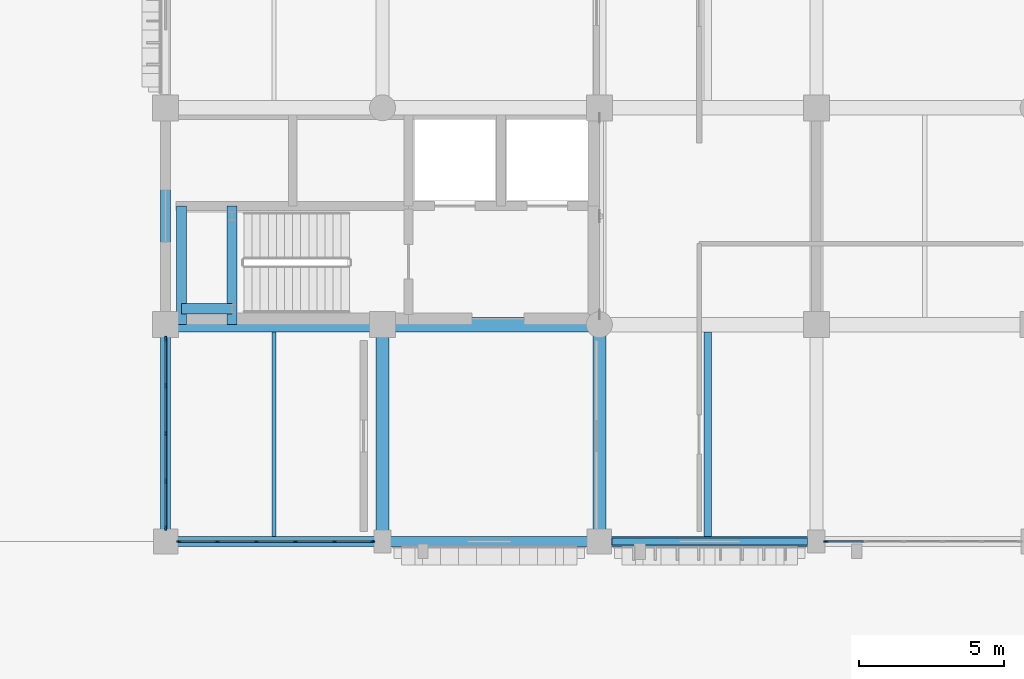
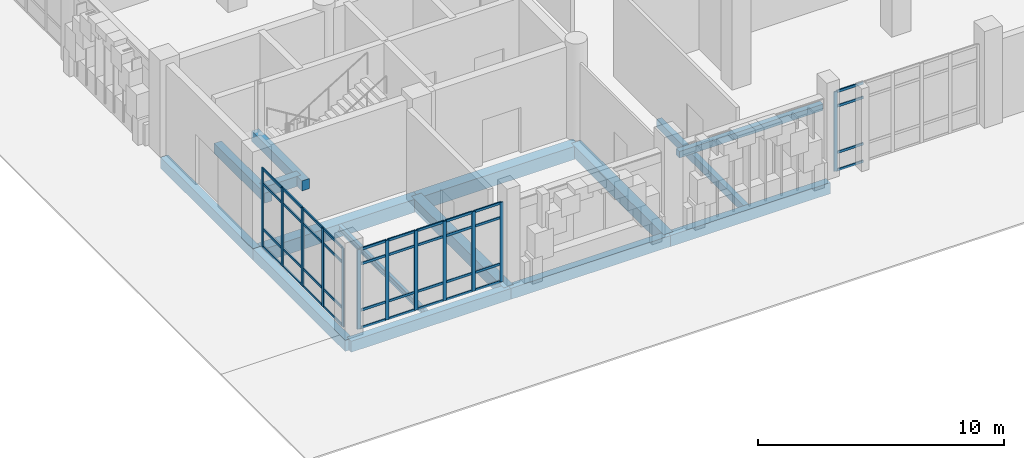
# One storey, part 14 of 125: 52 members, 15 beams, 3 elements without a shape of their own.
"""IFC4 building model written with IfcOpenShell, lengths in metres."""

from ifc_helpers import new_model, si_unit, direction, frame, origin, origin_2d, place, context, subcontext, project, spatial, rectangle, i_section, extrude, material, layer, layer_set, material_profile, profile_set, type_object, element, aggregate, save


model = new_model("IFC4")

# Units and contexts
model_context = context("Model", 3, precision=1e-05, world=origin(), true_north=direction((0.0, 1.0)))
body_context = subcontext(model_context, "Body", "Model", "MODEL_VIEW")
ifc_project = project(units=[si_unit("LENGTHUNIT", "METRE"), si_unit("AREAUNIT", "SQUARE_METRE"), si_unit("VOLUMEUNIT", "CUBIC_METRE"), si_unit("PLANEANGLEUNIT", "RADIAN"), si_unit("MASSUNIT", "GRAM", prefix="KILO")], contexts=[model_context])

# Site, building, storey
site_placement = place(None, origin())
site = spatial("IfcSite", under=ifc_project, at=site_placement, CompositionType="ELEMENT")
building_placement = place(site_placement, origin())
building = spatial("IfcBuilding", under=site, at=building_placement, Name="Dalvernix Boulevard General Hospital", CompositionType="ELEMENT")
storey_placement = place(building_placement, origin())
storey = spatial("IfcBuildingStorey", under=building, at=storey_placement, Name="L00", CompositionType="ELEMENT", Elevation=0.0)

# Beams
ifc_material_1 = material(Name="Concrete C35/45", Category="concrete")
ifc_material_profile_1 = material_profile(ifc_material_1, rectangle(XDim=0.5, YDim=0.64990234375, at=origin_2d()), Name="RCB 500x650")
ifc_profile_set_1 = profile_set([ifc_material_profile_1], Name="Concrete C35/45")
beam_type_1 = type_object("IfcBeamType", Name="BM-B-02-I", PredefinedType="BEAM", material=ifc_profile_set_1)
for number, where, z_axis, x_axis, name in (
    (1, (0.0, 7.5, -0.68505859375), (1.0, 0.0, 0.0), (0.0, 1.0, 0.0), "L00 E-W girder B:1-2"),
    (2, (7.5, 7.5, -0.68505859375), (1.0, 0.0, 0.0), (0.0, 1.0, 0.0), "L00 E-W girder B:2-3"),
):
    element("IfcBeam", number, at=place(storey_placement, frame(where, z_axis=z_axis, x_axis=x_axis)), inside=storey, type_object=beam_type_1, Name=name, PredefinedType="BEAM", context=body_context, shape_type="SweptSolid", body=[
        extrude(rectangle(XDim=0.5, YDim=0.64990234375, at=origin_2d()), origin(), (0.0, 0.0, 1.0), 7.5),
    ])
ifc_material_profile_2 = material_profile(ifc_material_1, rectangle(XDim=0.449951171875, YDim=0.60009765625, at=origin_2d()), Name="RCB 450x600")
ifc_profile_set_2 = profile_set([ifc_material_profile_2], Name="Concrete C35/45")
beam_type_2 = type_object("IfcBeamType", Name="BM-B-04-I", PredefinedType="BEAM", material=ifc_profile_set_2)
for number, where, z_axis, x_axis, name in (
    (3, (7.5, 0.0, -0.659912109375), (0.0, 1.0, 0.0), (-1.0, 0.0, 0.0), "L00 N-S girder 2:A-B"),
    (4, (15.0, 0.0, -0.659912109375), (0.0, 1.0, 0.0), (-1.0, 0.0, 0.0), "L00 N-S girder 3:A-B"),
):
    element("IfcBeam", number, at=place(storey_placement, frame(where, z_axis=z_axis, x_axis=x_axis)), inside=storey, type_object=beam_type_2, Name=name, PredefinedType="BEAM", context=body_context, shape_type="SweptSolid", body=[
        extrude(rectangle(XDim=0.449951171875, YDim=0.60009765625, at=origin_2d()), origin(), (0.0, 0.0, 1.0), 7.5),
    ])
ifc_material_profile_3 = material_profile(ifc_material_1, rectangle(XDim=0.35009765625, YDim=0.5, at=origin_2d()), Name="RCB 350x500")
ifc_profile_set_3 = profile_set([ifc_material_profile_3], Name="Concrete C35/45")
beam_type_3 = type_object("IfcBeamType", Name="BM-B-08", PredefinedType="BEAM", material=ifc_profile_set_3)
for number, where, z_axis, x_axis, name in (
    (5, (0.550048828125, 7.5, 1.949951171875), (0.0, 1.0, 0.0), (-1.0, 0.0, 0.0), "L00 C1 stair half-landing beam 1"),
    (6, (2.300048828125, 7.5, 1.949951171875), (0.0, 1.0, 0.0), (-1.0, 0.0, 0.0), "L00 C1 stair half-landing beam 2"),
):
    element("IfcBeam", number, at=place(storey_placement, frame(where, z_axis=z_axis, x_axis=x_axis)), inside=storey, type_object=beam_type_3, Name=name, PredefinedType="BEAM", context=body_context, shape_type="SweptSolid", body=[
        extrude(rectangle(XDim=0.35009765625, YDim=0.5, at=origin_2d()), origin(), (0.0, 0.0, 1.0), 4.10009765625),
    ])
beam_1_placement = place(storey_placement, frame((0.550048828125, 8.050048828125, 1.949951171875), z_axis=(1.0, 0.0, 0.0), x_axis=(0.0, 1.0, 0.0)))
element("IfcBeam", 7, at=beam_1_placement, inside=storey, type_object=beam_type_3, Name="L00 C1 stair half-landing tie beam", PredefinedType="BEAM", context=body_context, shape_type="SweptSolid", body=[
    extrude(rectangle(XDim=0.35009765625, YDim=0.5, at=origin_2d()), origin(), (0.0, 0.0, 1.0), 1.75),
])
ifc_material_profile_4 = material_profile(ifc_material_1, rectangle(XDim=0.25, YDim=0.39990234375, at=origin_2d()), Name="RCB 250x400")
ifc_profile_set_4 = profile_set([ifc_material_profile_4], Name="Concrete C35/45")
beam_type_4 = type_object("IfcBeamType", Name="BM-JB-02", PredefinedType="JOIST", material=ifc_profile_set_4)
beam_2_placement = place(storey_placement, frame((18.75, 0.175048828125, -0.56005859375), z_axis=(0.0, 1.0, 0.0), x_axis=(-1.0, 0.0, 0.0)))
element("IfcBeam", 8, at=beam_2_placement, inside=storey, type_object=beam_type_4, Name="L00 secondary floor beam 3-A", PredefinedType="JOIST", context=body_context, shape_type="SweptSolid", body=[
    extrude(rectangle(XDim=0.25, YDim=0.39990234375, at=origin_2d()), origin(), (0.0, 0.0, 1.0), 7.074951171875),
])
ifc_material_2 = material(Name="Steel S355", Category="steel")
ifc_material_profile_5 = material_profile(ifc_material_2, i_section(OverallWidth=0.14990234375, OverallDepth=0.300048828125, WebThickness=0.007080078125, FlangeThickness=0.0107421875, FilletRadius=0.014892578125, at=origin_2d()), Name="IPE 300")
ifc_profile_set_5 = profile_set([ifc_material_profile_5], Name="Steel S355")
beam_type_5 = type_object("IfcBeamType", Name="BM-JB-03", PredefinedType="JOIST", material=ifc_profile_set_5)
beam_3_placement = place(storey_placement, frame((3.75, 0.175048828125, -0.510009765625), z_axis=(0.0, 1.0, 0.0), x_axis=(-1.0, 0.0, 0.0)))
element("IfcBeam", 9, at=beam_3_placement, inside=storey, type_object=beam_type_5, Name="L00 secondary floor beam 1-A", PredefinedType="JOIST", context=body_context, shape_type="SweptSolid", body=[
    extrude(i_section(OverallWidth=0.14990234375, OverallDepth=0.300048828125, WebThickness=0.007080078125, FlangeThickness=0.0107421875, FilletRadius=0.014892578125, at=origin_2d()), origin(), (0.0, 0.0, 1.0), 7.074951171875),
])
ifc_material_3 = material(Name="Precast concrete C40/50", Category="concrete")
ifc_material_profile_6 = material_profile(ifc_material_3, rectangle(XDim=0.25, YDim=0.320068359375, at=origin_2d()), Name="RCL 250x320")
ifc_profile_set_6 = profile_set([ifc_material_profile_6], Name="Precast concrete C40/50")
beam_type_6 = type_object("IfcBeamType", Name="BM-LB-01", PredefinedType="LINTEL", material=ifc_profile_set_6)
beam_4_placement = place(storey_placement, frame((22.18994140625, 0.0, 3.4599609375), z_axis=(-1.0, 0.0, 0.0), x_axis=(0.0, -1.0, 0.0)))
element("IfcBeam", 10, at=beam_4_placement, inside=storey, type_object=beam_type_6, Name="L00 precast window lintel S 2-0", PredefinedType="LINTEL", context=body_context, shape_type="SweptSolid", body=[
    extrude(rectangle(XDim=0.25, YDim=0.320068359375, at=origin_2d()), origin(), (0.0, 0.0, 1.0), 6.7548828125),
])
ifc_material_profile_7 = material_profile(ifc_material_1, rectangle(XDim=0.35009765625, YDim=0.550048828125, at=origin_2d()), Name="RCB 350x550")
ifc_profile_set_7 = profile_set([ifc_material_profile_7], Name="Concrete C35/45")
beam_type_7 = type_object("IfcBeamType", Name="BM-SB-01-E", PredefinedType="SPANDREL", material=ifc_profile_set_7)
for number, where, z_axis, x_axis, name in (
    (11, (0.0, 0.0, -0.635009765625), (1.0, 0.0, 0.0), (0.0, 1.0, 0.0), "L00 E-W girder A:1-2"),
    (12, (7.5, 0.0, -0.635009765625), (1.0, 0.0, 0.0), (0.0, 1.0, 0.0), "L00 E-W girder A:2-3"),
    (13, (15.0, 0.0, -0.635009765625), (1.0, 0.0, 0.0), (0.0, 1.0, 0.0), "L00 E-W girder A:3-4"),
    (14, (0.0, 0.0, -0.635009765625), (0.0, 1.0, 0.0), (-1.0, 0.0, 0.0), "L00 N-S girder 1:A-B"),
    (15, (0.0, 7.5, -0.635009765625), (0.0, 1.0, 0.0), (-1.0, 0.0, 0.0), "L00 N-S girder 1:B-C"),
):
    element("IfcBeam", number, at=place(storey_placement, frame(where, z_axis=z_axis, x_axis=x_axis)), inside=storey, type_object=beam_type_7, Name=name, PredefinedType="SPANDREL", context=body_context, shape_type="SweptSolid", body=[
        extrude(rectangle(XDim=0.35009765625, YDim=0.550048828125, at=origin_2d()), origin(), (0.0, 0.0, 1.0), 7.5),
    ])

# Curtain wall, members
ifc_material_4 = material(Name="Thermally broken aluminium and solar-control glass curtain wall", Category="aluminium")
ifc_layer_1 = layer(ifc_material_4, 0.159912109375)
ifc_layer_set_1 = layer_set([ifc_layer_1], Name="Thermally broken aluminium and solar-control glass curtain wall (CW-CW-A-68x40)")
curtain_wall_type_1 = type_object("IfcCurtainWallType", Name="CW-CW-A-68x40", PredefinedType="USERDEFINED", material=ifc_layer_set_1)
curtain_wall_1_placement = place(storey_placement, origin())
curtain_wall_1 = element("IfcCurtainWall", 16, at=curtain_wall_1_placement, inside=storey, type_object=curtain_wall_type_1, Name="L00 curtain wall CW-A-68x40 0-0", ObjectType="GLAZED FACADE", PredefinedType="USERDEFINED")
ifc_material_5 = material(Name="Aluminium EN AW-6060", Category="aluminium")
ifc_material_profile_8 = material_profile(ifc_material_5, rectangle(XDim=0.06005859375, YDim=0.159912109375, at=origin_2d()), Name="ALU MULL 60x160")
ifc_profile_set_8 = profile_set([ifc_material_profile_8], Name="Aluminium EN AW-6060")
member_type_1 = type_object("IfcMemberType", Name="MEM-CW-M1", PredefinedType="MULLION", material=ifc_profile_set_8)
member_1_placement = place(storey_placement, frame((7.159912109375, 0.0, 0.0), z_axis=(0.0, 0.0, 1.0), x_axis=(0.0, -1.0, 0.0)))
member_1 = element("IfcMember", 17, at=member_1_placement, type_object=member_type_1, Name="CW-A-68x40 mullion 1", PredefinedType="MULLION", context=body_context, shape_type="SweptSolid", body=[
    extrude(rectangle(XDim=0.06005859375, YDim=0.159912109375, at=origin_2d()), origin(), (0.0, 0.0, 1.0), 3.949951171875),
])
member_2_placement = place(storey_placement, frame((5.839111328125, 0.0, 0.0), z_axis=(0.0, 0.0, 1.0), x_axis=(0.0, -1.0, 0.0)))
member_2 = element("IfcMember", 18, at=member_2_placement, type_object=member_type_1, Name="CW-A-68x40 mullion 2", PredefinedType="MULLION", context=body_context, shape_type="SweptSolid", body=[
    extrude(rectangle(XDim=0.06005859375, YDim=0.159912109375, at=origin_2d()), origin(), (0.0, 0.0, 1.0), 3.949951171875),
])
member_3_placement = place(storey_placement, frame((4.488037109375, 0.0, 0.0), z_axis=(0.0, 0.0, 1.0), x_axis=(0.0, -1.0, 0.0)))
member_3 = element("IfcMember", 19, at=member_3_placement, type_object=member_type_1, Name="CW-A-68x40 mullion 3", PredefinedType="MULLION", context=body_context, shape_type="SweptSolid", body=[
    extrude(rectangle(XDim=0.06005859375, YDim=0.159912109375, at=origin_2d()), origin(), (0.0, 0.0, 1.0), 3.949951171875),
])
member_4_placement = place(storey_placement, frame((3.136962890625, 0.0, 0.0), z_axis=(0.0, 0.0, 1.0), x_axis=(0.0, -1.0, 0.0)))
member_4 = element("IfcMember", 20, at=member_4_placement, type_object=member_type_1, Name="CW-A-68x40 mullion 4", PredefinedType="MULLION", context=body_context, shape_type="SweptSolid", body=[
    extrude(rectangle(XDim=0.06005859375, YDim=0.159912109375, at=origin_2d()), origin(), (0.0, 0.0, 1.0), 3.949951171875),
])
member_5_placement = place(storey_placement, frame((1.785888671875, 0.0, 0.0), z_axis=(0.0, 0.0, 1.0), x_axis=(0.0, -1.0, 0.0)))
member_5 = element("IfcMember", 21, at=member_5_placement, type_object=member_type_1, Name="CW-A-68x40 mullion 5", PredefinedType="MULLION", context=body_context, shape_type="SweptSolid", body=[
    extrude(rectangle(XDim=0.06005859375, YDim=0.159912109375, at=origin_2d()), origin(), (0.0, 0.0, 1.0), 3.949951171875),
])
member_6_placement = place(storey_placement, frame((0.465087890625, 0.0, 0.0), z_axis=(0.0, 0.0, 1.0), x_axis=(0.0, -1.0, 0.0)))
member_6 = element("IfcMember", 22, at=member_6_placement, type_object=member_type_1, Name="CW-A-68x40 mullion 6", PredefinedType="MULLION", context=body_context, shape_type="SweptSolid", body=[
    extrude(rectangle(XDim=0.06005859375, YDim=0.159912109375, at=origin_2d()), origin(), (0.0, 0.0, 1.0), 3.949951171875),
])

ifc_layer_2 = layer(ifc_material_4, 0.159912109375)
ifc_layer_set_2 = layer_set([ifc_layer_2], Name="Thermally broken aluminium and solar-control glass curtain wall (CW-CW-A-66x39)")
curtain_wall_type_2 = type_object("IfcCurtainWallType", Name="CW-CW-A-66x39", PredefinedType="USERDEFINED", material=ifc_layer_set_2)
curtain_wall_2_placement = place(storey_placement, origin())
curtain_wall_2 = element("IfcCurtainWall", 23, at=curtain_wall_2_placement, inside=storey, type_object=curtain_wall_type_2, Name="L00 curtain wall CW-A-66x39 0-0", ObjectType="GLAZED FACADE", PredefinedType="USERDEFINED")
member_7_placement = place(storey_placement, frame((0.0, 0.465087890625, 0.0), z_axis=(0.0, 0.0, 1.0), x_axis=(-1.0, 0.0, 0.0)))
member_7 = element("IfcMember", 24, at=member_7_placement, type_object=member_type_1, Name="CW-A-66x39 mullion 1", PredefinedType="MULLION", context=body_context, shape_type="SweptSolid", body=[
    extrude(rectangle(XDim=0.06005859375, YDim=0.159912109375, at=origin_2d()), origin(), (0.0, 0.0, 1.0), 3.89990234375),
])
member_8_placement = place(storey_placement, frame((0.0, 2.086181640625, 0.0), z_axis=(0.0, 0.0, 1.0), x_axis=(-1.0, 0.0, 0.0)))
member_8 = element("IfcMember", 25, at=member_8_placement, type_object=member_type_1, Name="CW-A-66x39 mullion 2", PredefinedType="MULLION", context=body_context, shape_type="SweptSolid", body=[
    extrude(rectangle(XDim=0.06005859375, YDim=0.159912109375, at=origin_2d()), origin(), (0.0, 0.0, 1.0), 3.89990234375),
])
member_9_placement = place(storey_placement, frame((0.0, 3.737548828125, 0.0), z_axis=(0.0, 0.0, 1.0), x_axis=(-1.0, 0.0, 0.0)))
member_9 = element("IfcMember", 26, at=member_9_placement, type_object=member_type_1, Name="CW-A-66x39 mullion 3", PredefinedType="MULLION", context=body_context, shape_type="SweptSolid", body=[
    extrude(rectangle(XDim=0.06005859375, YDim=0.159912109375, at=origin_2d()), origin(), (0.0, 0.0, 1.0), 3.89990234375),
])
member_10_placement = place(storey_placement, frame((0.0, 5.388671875, 0.0), z_axis=(0.0, 0.0, 1.0), x_axis=(-1.0, 0.0, 0.0)))
member_10 = element("IfcMember", 27, at=member_10_placement, type_object=member_type_1, Name="CW-A-66x39 mullion 4", PredefinedType="MULLION", context=body_context, shape_type="SweptSolid", body=[
    extrude(rectangle(XDim=0.06005859375, YDim=0.159912109375, at=origin_2d()), origin(), (0.0, 0.0, 1.0), 3.89990234375),
])
member_11_placement = place(storey_placement, frame((0.0, 7.010009765625, 0.0), z_axis=(0.0, 0.0, 1.0), x_axis=(-1.0, 0.0, 0.0)))
member_11 = element("IfcMember", 28, at=member_11_placement, type_object=member_type_1, Name="CW-A-66x39 mullion 5", PredefinedType="MULLION", context=body_context, shape_type="SweptSolid", body=[
    extrude(rectangle(XDim=0.06005859375, YDim=0.159912109375, at=origin_2d()), origin(), (0.0, 0.0, 1.0), 3.89990234375),
])

# Curtain wall, member
curtain_wall_3_placement = place(storey_placement, origin())
curtain_wall_3 = element("IfcCurtainWall", 29, at=curtain_wall_3_placement, inside=storey, type_object=curtain_wall_type_1, Name="L00 curtain wall CW-A-68x40 3-0", ObjectType="GLAZED FACADE", PredefinedType="USERDEFINED")
member_12_placement = place(storey_placement, frame((22.840087890625, 0.0, 0.0), z_axis=(0.0, 0.0, 1.0), x_axis=(0.0, -1.0, 0.0)))
member_12 = element("IfcMember", 30, at=member_12_placement, type_object=member_type_1, Name="CW-A-68x40 mullion 6", PredefinedType="MULLION", context=body_context, shape_type="SweptSolid", body=[
    extrude(rectangle(XDim=0.06005859375, YDim=0.159912109375, at=origin_2d()), origin(), (0.0, 0.0, 1.0), 3.949951171875),
])

# Member
ifc_material_profile_9 = material_profile(ifc_material_5, rectangle(XDim=0.06005859375, YDim=0.1201171875, at=origin_2d()), Name="ALU TRAN 60x120")
ifc_profile_set_9 = profile_set([ifc_material_profile_9], Name="Aluminium EN AW-6060")
member_type_2 = type_object("IfcMemberType", Name="MEM-CW-T1", PredefinedType="USERDEFINED", material=ifc_profile_set_9)
member_13_placement = place(storey_placement, frame((7.1298828125, 0.0, 0.030029296875), z_axis=(-1.0, 0.0, 0.0), x_axis=(0.0, -1.0, 0.0)))
member_13 = element("IfcMember", 31, at=member_13_placement, type_object=member_type_2, Name="CW-A-68x40 transom 1.1", ObjectType="TRANSOM", PredefinedType="USERDEFINED", context=body_context, shape_type="SweptSolid", body=[
    extrude(rectangle(XDim=0.06005859375, YDim=0.1201171875, at=origin_2d()), origin(), (0.0, 0.0, 1.0), 1.260986328125),
])

member_14_placement = place(storey_placement, frame((7.1298828125, 0.0, 0.89990234375), z_axis=(-1.0, 0.0, 0.0), x_axis=(0.0, -1.0, 0.0)))
member_14 = element("IfcMember", 32, at=member_14_placement, type_object=member_type_2, Name="CW-A-68x40 transom 1.2", ObjectType="TRANSOM", PredefinedType="USERDEFINED", context=body_context, shape_type="SweptSolid", body=[
    extrude(rectangle(XDim=0.06005859375, YDim=0.1201171875, at=origin_2d()), origin(), (0.0, 0.0, 1.0), 1.260986328125),
])

member_15_placement = place(storey_placement, frame((7.1298828125, 0.0, 3.199951171875), z_axis=(-1.0, 0.0, 0.0), x_axis=(0.0, -1.0, 0.0)))
member_15 = element("IfcMember", 33, at=member_15_placement, type_object=member_type_2, Name="CW-A-68x40 transom 1.3", ObjectType="TRANSOM", PredefinedType="USERDEFINED", context=body_context, shape_type="SweptSolid", body=[
    extrude(rectangle(XDim=0.06005859375, YDim=0.1201171875, at=origin_2d()), origin(), (0.0, 0.0, 1.0), 1.260986328125),
])

member_16_placement = place(storey_placement, frame((7.1298828125, 0.0, 3.919921875), z_axis=(-1.0, 0.0, 0.0), x_axis=(0.0, -1.0, 0.0)))
member_16 = element("IfcMember", 34, at=member_16_placement, type_object=member_type_2, Name="CW-A-68x40 transom 1.4", ObjectType="TRANSOM", PredefinedType="USERDEFINED", context=body_context, shape_type="SweptSolid", body=[
    extrude(rectangle(XDim=0.06005859375, YDim=0.1201171875, at=origin_2d()), origin(), (0.0, 0.0, 1.0), 1.260986328125),
])

member_17_placement = place(storey_placement, frame((5.80908203125, 0.0, 0.030029296875), z_axis=(-1.0, 0.0, 0.0), x_axis=(0.0, -1.0, 0.0)))
member_17 = element("IfcMember", 35, at=member_17_placement, type_object=member_type_2, Name="CW-A-68x40 transom 2.1", ObjectType="TRANSOM", PredefinedType="USERDEFINED", context=body_context, shape_type="SweptSolid", body=[
    extrude(rectangle(XDim=0.06005859375, YDim=0.1201171875, at=origin_2d()), origin(), (0.0, 0.0, 1.0), 1.291015625),
])

member_18_placement = place(storey_placement, frame((5.80908203125, 0.0, 0.89990234375), z_axis=(-1.0, 0.0, 0.0), x_axis=(0.0, -1.0, 0.0)))
member_18 = element("IfcMember", 36, at=member_18_placement, type_object=member_type_2, Name="CW-A-68x40 transom 2.2", ObjectType="TRANSOM", PredefinedType="USERDEFINED", context=body_context, shape_type="SweptSolid", body=[
    extrude(rectangle(XDim=0.06005859375, YDim=0.1201171875, at=origin_2d()), origin(), (0.0, 0.0, 1.0), 1.291015625),
])

member_19_placement = place(storey_placement, frame((5.80908203125, 0.0, 3.199951171875), z_axis=(-1.0, 0.0, 0.0), x_axis=(0.0, -1.0, 0.0)))
member_19 = element("IfcMember", 37, at=member_19_placement, type_object=member_type_2, Name="CW-A-68x40 transom 2.3", ObjectType="TRANSOM", PredefinedType="USERDEFINED", context=body_context, shape_type="SweptSolid", body=[
    extrude(rectangle(XDim=0.06005859375, YDim=0.1201171875, at=origin_2d()), origin(), (0.0, 0.0, 1.0), 1.291015625),
])

member_20_placement = place(storey_placement, frame((5.80908203125, 0.0, 3.919921875), z_axis=(-1.0, 0.0, 0.0), x_axis=(0.0, -1.0, 0.0)))
member_20 = element("IfcMember", 38, at=member_20_placement, type_object=member_type_2, Name="CW-A-68x40 transom 2.4", ObjectType="TRANSOM", PredefinedType="USERDEFINED", context=body_context, shape_type="SweptSolid", body=[
    extrude(rectangle(XDim=0.06005859375, YDim=0.1201171875, at=origin_2d()), origin(), (0.0, 0.0, 1.0), 1.291015625),
])

member_21_placement = place(storey_placement, frame((4.4580078125, 0.0, 0.030029296875), z_axis=(-1.0, 0.0, 0.0), x_axis=(0.0, -1.0, 0.0)))
member_21 = element("IfcMember", 39, at=member_21_placement, type_object=member_type_2, Name="CW-A-68x40 transom 3.1", ObjectType="TRANSOM", PredefinedType="USERDEFINED", context=body_context, shape_type="SweptSolid", body=[
    extrude(rectangle(XDim=0.06005859375, YDim=0.1201171875, at=origin_2d()), origin(), (0.0, 0.0, 1.0), 1.291015625),
])

member_22_placement = place(storey_placement, frame((4.4580078125, 0.0, 0.89990234375), z_axis=(-1.0, 0.0, 0.0), x_axis=(0.0, -1.0, 0.0)))
member_22 = element("IfcMember", 40, at=member_22_placement, type_object=member_type_2, Name="CW-A-68x40 transom 3.2", ObjectType="TRANSOM", PredefinedType="USERDEFINED", context=body_context, shape_type="SweptSolid", body=[
    extrude(rectangle(XDim=0.06005859375, YDim=0.1201171875, at=origin_2d()), origin(), (0.0, 0.0, 1.0), 1.291015625),
])

member_23_placement = place(storey_placement, frame((4.4580078125, 0.0, 3.199951171875), z_axis=(-1.0, 0.0, 0.0), x_axis=(0.0, -1.0, 0.0)))
member_23 = element("IfcMember", 41, at=member_23_placement, type_object=member_type_2, Name="CW-A-68x40 transom 3.3", ObjectType="TRANSOM", PredefinedType="USERDEFINED", context=body_context, shape_type="SweptSolid", body=[
    extrude(rectangle(XDim=0.06005859375, YDim=0.1201171875, at=origin_2d()), origin(), (0.0, 0.0, 1.0), 1.291015625),
])

member_24_placement = place(storey_placement, frame((4.4580078125, 0.0, 3.919921875), z_axis=(-1.0, 0.0, 0.0), x_axis=(0.0, -1.0, 0.0)))
member_24 = element("IfcMember", 42, at=member_24_placement, type_object=member_type_2, Name="CW-A-68x40 transom 3.4", ObjectType="TRANSOM", PredefinedType="USERDEFINED", context=body_context, shape_type="SweptSolid", body=[
    extrude(rectangle(XDim=0.06005859375, YDim=0.1201171875, at=origin_2d()), origin(), (0.0, 0.0, 1.0), 1.291015625),
])

member_25_placement = place(storey_placement, frame((3.10693359375, 0.0, 0.030029296875), z_axis=(-1.0, 0.0, 0.0), x_axis=(0.0, -1.0, 0.0)))
member_25 = element("IfcMember", 43, at=member_25_placement, type_object=member_type_2, Name="CW-A-68x40 transom 4.1", ObjectType="TRANSOM", PredefinedType="USERDEFINED", context=body_context, shape_type="SweptSolid", body=[
    extrude(rectangle(XDim=0.06005859375, YDim=0.1201171875, at=origin_2d()), origin(), (0.0, 0.0, 1.0), 1.291015625),
])

member_26_placement = place(storey_placement, frame((3.10693359375, 0.0, 0.89990234375), z_axis=(-1.0, 0.0, 0.0), x_axis=(0.0, -1.0, 0.0)))
member_26 = element("IfcMember", 44, at=member_26_placement, type_object=member_type_2, Name="CW-A-68x40 transom 4.2", ObjectType="TRANSOM", PredefinedType="USERDEFINED", context=body_context, shape_type="SweptSolid", body=[
    extrude(rectangle(XDim=0.06005859375, YDim=0.1201171875, at=origin_2d()), origin(), (0.0, 0.0, 1.0), 1.291015625),
])

member_27_placement = place(storey_placement, frame((3.10693359375, 0.0, 3.199951171875), z_axis=(-1.0, 0.0, 0.0), x_axis=(0.0, -1.0, 0.0)))
member_27 = element("IfcMember", 45, at=member_27_placement, type_object=member_type_2, Name="CW-A-68x40 transom 4.3", ObjectType="TRANSOM", PredefinedType="USERDEFINED", context=body_context, shape_type="SweptSolid", body=[
    extrude(rectangle(XDim=0.06005859375, YDim=0.1201171875, at=origin_2d()), origin(), (0.0, 0.0, 1.0), 1.291015625),
])

member_28_placement = place(storey_placement, frame((3.10693359375, 0.0, 3.919921875), z_axis=(-1.0, 0.0, 0.0), x_axis=(0.0, -1.0, 0.0)))
member_28 = element("IfcMember", 46, at=member_28_placement, type_object=member_type_2, Name="CW-A-68x40 transom 4.4", ObjectType="TRANSOM", PredefinedType="USERDEFINED", context=body_context, shape_type="SweptSolid", body=[
    extrude(rectangle(XDim=0.06005859375, YDim=0.1201171875, at=origin_2d()), origin(), (0.0, 0.0, 1.0), 1.291015625),
])

member_29_placement = place(storey_placement, frame((1.756103515625, 0.0, 0.030029296875), z_axis=(-1.0, 0.0, 0.0), x_axis=(0.0, -1.0, 0.0)))
member_29 = element("IfcMember", 47, at=member_29_placement, type_object=member_type_2, Name="CW-A-68x40 transom 5.1", ObjectType="TRANSOM", PredefinedType="USERDEFINED", context=body_context, shape_type="SweptSolid", body=[
    extrude(rectangle(XDim=0.06005859375, YDim=0.1201171875, at=origin_2d()), origin(), (0.0, 0.0, 1.0), 1.260986328125),
])

member_30_placement = place(storey_placement, frame((1.756103515625, 0.0, 0.89990234375), z_axis=(-1.0, 0.0, 0.0), x_axis=(0.0, -1.0, 0.0)))
member_30 = element("IfcMember", 48, at=member_30_placement, type_object=member_type_2, Name="CW-A-68x40 transom 5.2", ObjectType="TRANSOM", PredefinedType="USERDEFINED", context=body_context, shape_type="SweptSolid", body=[
    extrude(rectangle(XDim=0.06005859375, YDim=0.1201171875, at=origin_2d()), origin(), (0.0, 0.0, 1.0), 1.260986328125),
])

member_31_placement = place(storey_placement, frame((1.756103515625, 0.0, 3.199951171875), z_axis=(-1.0, 0.0, 0.0), x_axis=(0.0, -1.0, 0.0)))
member_31 = element("IfcMember", 49, at=member_31_placement, type_object=member_type_2, Name="CW-A-68x40 transom 5.3", ObjectType="TRANSOM", PredefinedType="USERDEFINED", context=body_context, shape_type="SweptSolid", body=[
    extrude(rectangle(XDim=0.06005859375, YDim=0.1201171875, at=origin_2d()), origin(), (0.0, 0.0, 1.0), 1.260986328125),
])

member_32_placement = place(storey_placement, frame((1.756103515625, 0.0, 3.919921875), z_axis=(-1.0, 0.0, 0.0), x_axis=(0.0, -1.0, 0.0)))
member_32 = element("IfcMember", 50, at=member_32_placement, type_object=member_type_2, Name="CW-A-68x40 transom 5.4", ObjectType="TRANSOM", PredefinedType="USERDEFINED", context=body_context, shape_type="SweptSolid", body=[
    extrude(rectangle(XDim=0.06005859375, YDim=0.1201171875, at=origin_2d()), origin(), (0.0, 0.0, 1.0), 1.260986328125),
])

aggregate(curtain_wall_1, [member_1, member_2, member_3, member_4, member_5, member_6, member_13, member_14, member_15, member_16, member_17, member_18, member_19, member_20, member_21, member_22, member_23, member_24, member_25, member_26, member_27, member_28, member_29, member_30, member_31, member_32])

member_33_placement = place(storey_placement, frame((0.0, 0.4951171875, 0.030029296875), z_axis=(0.0, 1.0, 0.0), x_axis=(-1.0, 0.0, 0.0)))
member_33 = element("IfcMember", 51, at=member_33_placement, type_object=member_type_2, Name="CW-A-66x39 transom 1.1", ObjectType="TRANSOM", PredefinedType="USERDEFINED", context=body_context, shape_type="SweptSolid", body=[
    extrude(rectangle(XDim=0.06005859375, YDim=0.1201171875, at=origin_2d()), origin(), (0.0, 0.0, 1.0), 1.56103515625),
])

member_34_placement = place(storey_placement, frame((0.0, 0.4951171875, 0.89990234375), z_axis=(0.0, 1.0, 0.0), x_axis=(-1.0, 0.0, 0.0)))
member_34 = element("IfcMember", 52, at=member_34_placement, type_object=member_type_2, Name="CW-A-66x39 transom 1.2", ObjectType="TRANSOM", PredefinedType="USERDEFINED", context=body_context, shape_type="SweptSolid", body=[
    extrude(rectangle(XDim=0.06005859375, YDim=0.1201171875, at=origin_2d()), origin(), (0.0, 0.0, 1.0), 1.56103515625),
])

member_35_placement = place(storey_placement, frame((0.0, 0.4951171875, 3.14990234375), z_axis=(0.0, 1.0, 0.0), x_axis=(-1.0, 0.0, 0.0)))
member_35 = element("IfcMember", 53, at=member_35_placement, type_object=member_type_2, Name="CW-A-66x39 transom 1.3", ObjectType="TRANSOM", PredefinedType="USERDEFINED", context=body_context, shape_type="SweptSolid", body=[
    extrude(rectangle(XDim=0.06005859375, YDim=0.1201171875, at=origin_2d()), origin(), (0.0, 0.0, 1.0), 1.56103515625),
])

member_36_placement = place(storey_placement, frame((0.0, 0.4951171875, 3.8701171875), z_axis=(0.0, 1.0, 0.0), x_axis=(-1.0, 0.0, 0.0)))
member_36 = element("IfcMember", 54, at=member_36_placement, type_object=member_type_2, Name="CW-A-66x39 transom 1.4", ObjectType="TRANSOM", PredefinedType="USERDEFINED", context=body_context, shape_type="SweptSolid", body=[
    extrude(rectangle(XDim=0.06005859375, YDim=0.1201171875, at=origin_2d()), origin(), (0.0, 0.0, 1.0), 1.56103515625),
])

member_37_placement = place(storey_placement, frame((0.0, 2.1162109375, 0.030029296875), z_axis=(0.0, 1.0, 0.0), x_axis=(-1.0, 0.0, 0.0)))
member_37 = element("IfcMember", 55, at=member_37_placement, type_object=member_type_2, Name="CW-A-66x39 transom 2.1", ObjectType="TRANSOM", PredefinedType="USERDEFINED", context=body_context, shape_type="SweptSolid", body=[
    extrude(rectangle(XDim=0.06005859375, YDim=0.1201171875, at=origin_2d()), origin(), (0.0, 0.0, 1.0), 1.59130859375),
])

member_38_placement = place(storey_placement, frame((0.0, 2.1162109375, 0.89990234375), z_axis=(0.0, 1.0, 0.0), x_axis=(-1.0, 0.0, 0.0)))
member_38 = element("IfcMember", 56, at=member_38_placement, type_object=member_type_2, Name="CW-A-66x39 transom 2.2", ObjectType="TRANSOM", PredefinedType="USERDEFINED", context=body_context, shape_type="SweptSolid", body=[
    extrude(rectangle(XDim=0.06005859375, YDim=0.1201171875, at=origin_2d()), origin(), (0.0, 0.0, 1.0), 1.59130859375),
])

member_39_placement = place(storey_placement, frame((0.0, 2.1162109375, 3.14990234375), z_axis=(0.0, 1.0, 0.0), x_axis=(-1.0, 0.0, 0.0)))
member_39 = element("IfcMember", 57, at=member_39_placement, type_object=member_type_2, Name="CW-A-66x39 transom 2.3", ObjectType="TRANSOM", PredefinedType="USERDEFINED", context=body_context, shape_type="SweptSolid", body=[
    extrude(rectangle(XDim=0.06005859375, YDim=0.1201171875, at=origin_2d()), origin(), (0.0, 0.0, 1.0), 1.59130859375),
])

member_40_placement = place(storey_placement, frame((0.0, 2.1162109375, 3.8701171875), z_axis=(0.0, 1.0, 0.0), x_axis=(-1.0, 0.0, 0.0)))
member_40 = element("IfcMember", 58, at=member_40_placement, type_object=member_type_2, Name="CW-A-66x39 transom 2.4", ObjectType="TRANSOM", PredefinedType="USERDEFINED", context=body_context, shape_type="SweptSolid", body=[
    extrude(rectangle(XDim=0.06005859375, YDim=0.1201171875, at=origin_2d()), origin(), (0.0, 0.0, 1.0), 1.59130859375),
])

member_41_placement = place(storey_placement, frame((0.0, 3.767578125, 0.030029296875), z_axis=(0.0, 1.0, 0.0), x_axis=(-1.0, 0.0, 0.0)))
member_41 = element("IfcMember", 59, at=member_41_placement, type_object=member_type_2, Name="CW-A-66x39 transom 3.1", ObjectType="TRANSOM", PredefinedType="USERDEFINED", context=body_context, shape_type="SweptSolid", body=[
    extrude(rectangle(XDim=0.06005859375, YDim=0.1201171875, at=origin_2d()), origin(), (0.0, 0.0, 1.0), 1.591064453125),
])

member_42_placement = place(storey_placement, frame((0.0, 3.767578125, 0.89990234375), z_axis=(0.0, 1.0, 0.0), x_axis=(-1.0, 0.0, 0.0)))
member_42 = element("IfcMember", 60, at=member_42_placement, type_object=member_type_2, Name="CW-A-66x39 transom 3.2", ObjectType="TRANSOM", PredefinedType="USERDEFINED", context=body_context, shape_type="SweptSolid", body=[
    extrude(rectangle(XDim=0.06005859375, YDim=0.1201171875, at=origin_2d()), origin(), (0.0, 0.0, 1.0), 1.591064453125),
])

member_43_placement = place(storey_placement, frame((0.0, 3.767578125, 3.14990234375), z_axis=(0.0, 1.0, 0.0), x_axis=(-1.0, 0.0, 0.0)))
member_43 = element("IfcMember", 61, at=member_43_placement, type_object=member_type_2, Name="CW-A-66x39 transom 3.3", ObjectType="TRANSOM", PredefinedType="USERDEFINED", context=body_context, shape_type="SweptSolid", body=[
    extrude(rectangle(XDim=0.06005859375, YDim=0.1201171875, at=origin_2d()), origin(), (0.0, 0.0, 1.0), 1.591064453125),
])

member_44_placement = place(storey_placement, frame((0.0, 3.767578125, 3.8701171875), z_axis=(0.0, 1.0, 0.0), x_axis=(-1.0, 0.0, 0.0)))
member_44 = element("IfcMember", 62, at=member_44_placement, type_object=member_type_2, Name="CW-A-66x39 transom 3.4", ObjectType="TRANSOM", PredefinedType="USERDEFINED", context=body_context, shape_type="SweptSolid", body=[
    extrude(rectangle(XDim=0.06005859375, YDim=0.1201171875, at=origin_2d()), origin(), (0.0, 0.0, 1.0), 1.591064453125),
])

member_45_placement = place(storey_placement, frame((0.0, 5.418701171875, 0.030029296875), z_axis=(0.0, 1.0, 0.0), x_axis=(-1.0, 0.0, 0.0)))
member_45 = element("IfcMember", 63, at=member_45_placement, type_object=member_type_2, Name="CW-A-66x39 transom 4.1", ObjectType="TRANSOM", PredefinedType="USERDEFINED", context=body_context, shape_type="SweptSolid", body=[
    extrude(rectangle(XDim=0.06005859375, YDim=0.1201171875, at=origin_2d()), origin(), (0.0, 0.0, 1.0), 1.561279296875),
])

member_46_placement = place(storey_placement, frame((0.0, 5.418701171875, 0.89990234375), z_axis=(0.0, 1.0, 0.0), x_axis=(-1.0, 0.0, 0.0)))
member_46 = element("IfcMember", 64, at=member_46_placement, type_object=member_type_2, Name="CW-A-66x39 transom 4.2", ObjectType="TRANSOM", PredefinedType="USERDEFINED", context=body_context, shape_type="SweptSolid", body=[
    extrude(rectangle(XDim=0.06005859375, YDim=0.1201171875, at=origin_2d()), origin(), (0.0, 0.0, 1.0), 1.561279296875),
])

member_47_placement = place(storey_placement, frame((0.0, 5.418701171875, 3.14990234375), z_axis=(0.0, 1.0, 0.0), x_axis=(-1.0, 0.0, 0.0)))
member_47 = element("IfcMember", 65, at=member_47_placement, type_object=member_type_2, Name="CW-A-66x39 transom 4.3", ObjectType="TRANSOM", PredefinedType="USERDEFINED", context=body_context, shape_type="SweptSolid", body=[
    extrude(rectangle(XDim=0.06005859375, YDim=0.1201171875, at=origin_2d()), origin(), (0.0, 0.0, 1.0), 1.561279296875),
])

member_48_placement = place(storey_placement, frame((0.0, 5.418701171875, 3.8701171875), z_axis=(0.0, 1.0, 0.0), x_axis=(-1.0, 0.0, 0.0)))
member_48 = element("IfcMember", 66, at=member_48_placement, type_object=member_type_2, Name="CW-A-66x39 transom 4.4", ObjectType="TRANSOM", PredefinedType="USERDEFINED", context=body_context, shape_type="SweptSolid", body=[
    extrude(rectangle(XDim=0.06005859375, YDim=0.1201171875, at=origin_2d()), origin(), (0.0, 0.0, 1.0), 1.561279296875),
])

aggregate(curtain_wall_2, [member_7, member_8, member_9, member_10, member_11, member_33, member_34, member_35, member_36, member_37, member_38, member_39, member_40, member_41, member_42, member_43, member_44, member_45, member_46, member_47, member_48])

member_49_placement = place(storey_placement, frame((24.131103515625, 0.0, 0.030029296875), z_axis=(-1.0, 0.0, 0.0), x_axis=(0.0, -1.0, 0.0)))
member_49 = element("IfcMember", 67, at=member_49_placement, type_object=member_type_2, Name="CW-A-68x40 transom 5.1", ObjectType="TRANSOM", PredefinedType="USERDEFINED", context=body_context, shape_type="SweptSolid", body=[
    extrude(rectangle(XDim=0.06005859375, YDim=0.1201171875, at=origin_2d()), origin(), (0.0, 0.0, 1.0), 1.260986328125),
])

member_50_placement = place(storey_placement, frame((24.131103515625, 0.0, 0.89990234375), z_axis=(-1.0, 0.0, 0.0), x_axis=(0.0, -1.0, 0.0)))
member_50 = element("IfcMember", 68, at=member_50_placement, type_object=member_type_2, Name="CW-A-68x40 transom 5.2", ObjectType="TRANSOM", PredefinedType="USERDEFINED", context=body_context, shape_type="SweptSolid", body=[
    extrude(rectangle(XDim=0.06005859375, YDim=0.1201171875, at=origin_2d()), origin(), (0.0, 0.0, 1.0), 1.260986328125),
])

member_51_placement = place(storey_placement, frame((24.131103515625, 0.0, 3.199951171875), z_axis=(-1.0, 0.0, 0.0), x_axis=(0.0, -1.0, 0.0)))
member_51 = element("IfcMember", 69, at=member_51_placement, type_object=member_type_2, Name="CW-A-68x40 transom 5.3", ObjectType="TRANSOM", PredefinedType="USERDEFINED", context=body_context, shape_type="SweptSolid", body=[
    extrude(rectangle(XDim=0.06005859375, YDim=0.1201171875, at=origin_2d()), origin(), (0.0, 0.0, 1.0), 1.260986328125),
])

member_52_placement = place(storey_placement, frame((24.131103515625, 0.0, 3.919921875), z_axis=(-1.0, 0.0, 0.0), x_axis=(0.0, -1.0, 0.0)))
member_52 = element("IfcMember", 70, at=member_52_placement, type_object=member_type_2, Name="CW-A-68x40 transom 5.4", ObjectType="TRANSOM", PredefinedType="USERDEFINED", context=body_context, shape_type="SweptSolid", body=[
    extrude(rectangle(XDim=0.06005859375, YDim=0.1201171875, at=origin_2d()), origin(), (0.0, 0.0, 1.0), 1.260986328125),
])

aggregate(curtain_wall_3, [member_12, member_49, member_50, member_51, member_52])

save(model, "model.ifc")
